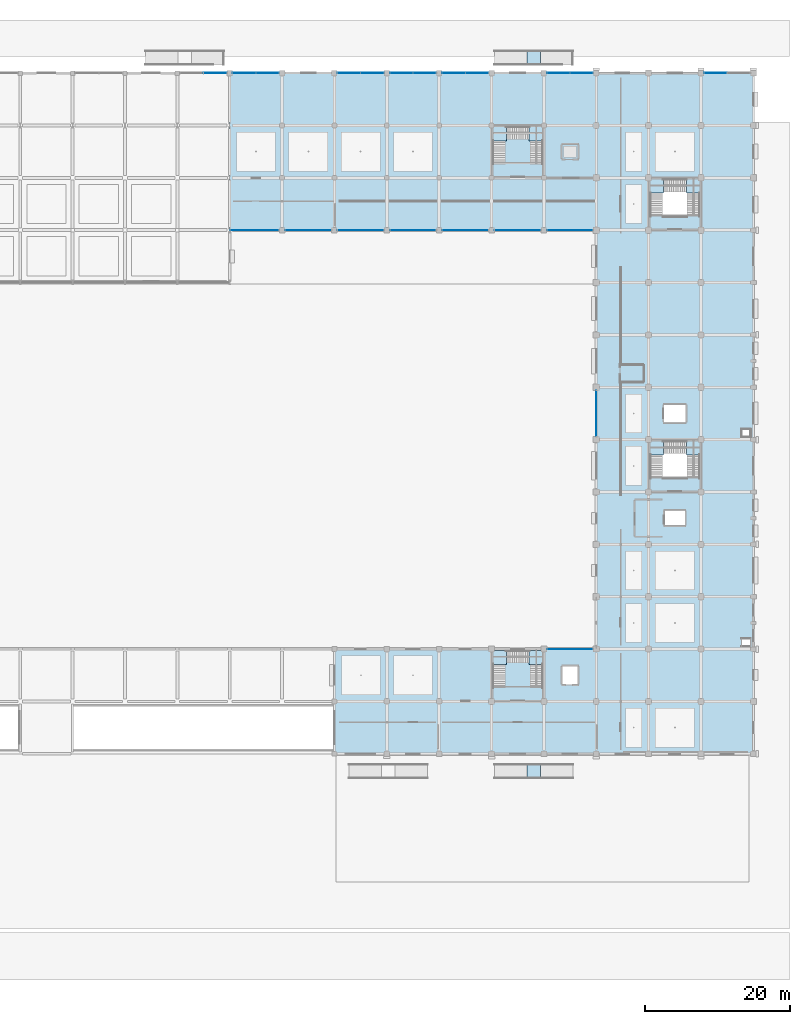
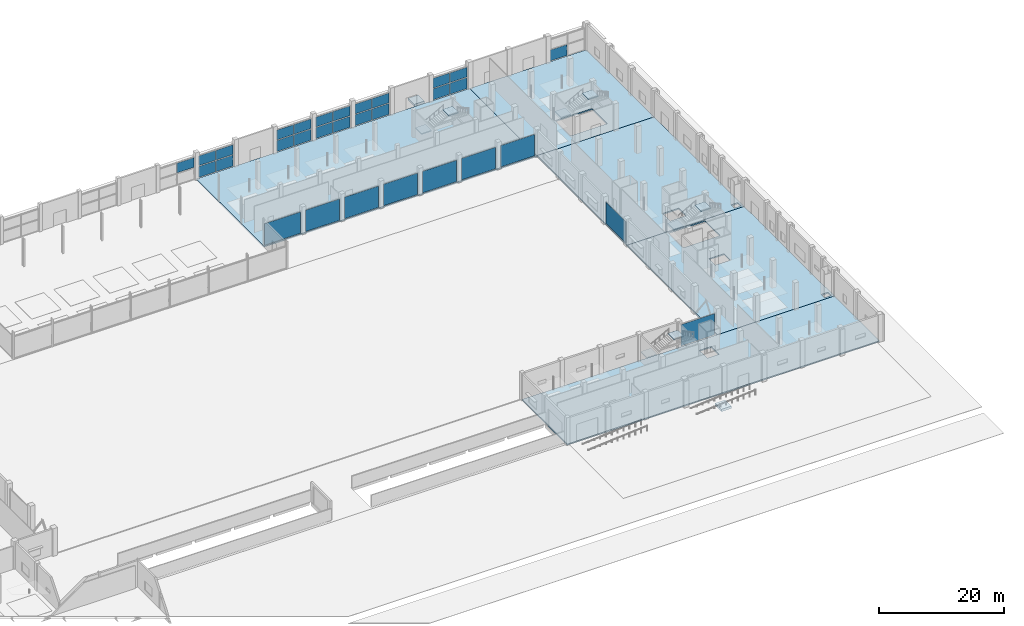
# One storey, part 53 of 90: 31 plates, 15 slabs, 22 elements without a shape of their own.
"""IFC4 building model written with IfcOpenShell, lengths in metres."""

from ifc_helpers import new_model, si_unit, direction, frame, origin, origin_2d, place, context, subcontext, project, spatial, polyline, rectangle, outline, extrude, material, layer, layer_set, type_object, element, aggregate, save


model = new_model("IFC4")

# Units and contexts
model_context = context("Model", 3, precision=1e-05, world=origin(), true_north=direction((0.0, 1.0)))
body_context = subcontext(model_context, "Body", "Model", "MODEL_VIEW")
ifc_project = project(units=[si_unit("LENGTHUNIT", "METRE"), si_unit("AREAUNIT", "SQUARE_METRE"), si_unit("VOLUMEUNIT", "CUBIC_METRE"), si_unit("PLANEANGLEUNIT", "RADIAN"), si_unit("MASSUNIT", "GRAM", prefix="KILO")], contexts=[model_context])

# Site, building, storey
site_placement = place(None, origin())
site = spatial("IfcSite", under=ifc_project, at=site_placement, CompositionType="ELEMENT")
building_placement = place(site_placement, origin())
building = spatial("IfcBuilding", under=site, at=building_placement, Name="Kangsadwip Square Police Headquarters", CompositionType="ELEMENT")
storey_placement = place(building_placement, origin())
storey = spatial("IfcBuildingStorey", under=building, at=storey_placement, Name="L00", CompositionType="ELEMENT", Elevation=0.0)

# Curtain wall, plate
ifc_material_1 = material(Name="Thermally broken anodised aluminium AW-6063-T6", Category="aluminium")
ifc_layer_1 = layer(ifc_material_1, 0.159912109375)
ifc_layer_set_1 = layer_set([ifc_layer_1], Name="Thermally broken anodised aluminium AW-6063-T6")
curtain_wall_type_1 = type_object("IfcCurtainWallType", Name="CourtScreen6385x4450", PredefinedType="USERDEFINED", material=ifc_layer_set_1)
curtain_wall_1_placement = place(storey_placement, origin())
curtain_wall_1 = element("IfcCurtainWall", 1, at=curtain_wall_1_placement, inside=storey, type_object=curtain_wall_type_1, Name="Curtain Wall CW-L00-1372-0360", ObjectType="GLAZED_SCREEN", PredefinedType="USERDEFINED")
ifc_material_2 = material(Name="Double-glazed solar-control low-E safety glass", Category="glass")
ifc_layer_2 = layer(ifc_material_2, 0.02392578125)
ifc_layer_set_2 = layer_set([ifc_layer_2], Name="Double-glazed solar-control low-E safety glass")
plate_type_1 = type_object("IfcPlateType", Name="CwCourtVisionPanel24", PredefinedType="CURTAIN_PANEL", material=ifc_layer_set_2)
plate_1_placement = place(storey_placement, frame((140.387451171875, 36.0, 0.14013671875), z_axis=(0.0, 0.0, 1.0), x_axis=(1.0, 0.0, 0.0)))
plate_1 = element("IfcPlate", 2, at=plate_1_placement, type_object=plate_type_1, Name="CW-01 panel 1.1", PredefinedType="CURTAIN_PANEL", context=body_context, shape_type="SweptSolid", body=[
    extrude(rectangle(XDim=6.235107421875, YDim=0.02392578125, at=origin_2d()), origin(), (0.0, 0.0, 1.0), 4.169921875),
])
aggregate(curtain_wall_1, [plate_1])

ifc_material_3 = material(Name="Thermally broken anodised aluminium AW-6063-T6", Category="aluminium")
ifc_layer_3 = layer(ifc_material_3, 0.159912109375)
ifc_layer_set_3 = layer_set([ifc_layer_3], Name="Thermally broken anodised aluminium AW-6063-T6")
curtain_wall_type_2 = type_object("IfcCurtainWallType", Name="CourtScreen6820x4450", PredefinedType="USERDEFINED", material=ifc_layer_set_3)
curtain_wall_2_placement = place(storey_placement, origin())
curtain_wall_2 = element("IfcCurtainWall", 3, at=curtain_wall_2_placement, inside=storey, type_object=curtain_wall_type_2, Name="Curtain Wall CW-L00-0936-0936", ObjectType="GLAZED_SCREEN", PredefinedType="USERDEFINED")
plate_2_placement = place(storey_placement, frame((97.02001953125, 93.60009765625, 0.14013671875), z_axis=(0.0, 0.0, 1.0), x_axis=(1.0, 0.0, 0.0)))
plate_2 = element("IfcPlate", 4, at=plate_2_placement, type_object=plate_type_1, Name="CW-03 panel 1.1", PredefinedType="CURTAIN_PANEL", context=body_context, shape_type="SweptSolid", body=[
    extrude(rectangle(XDim=6.669921875, YDim=0.02392578125, at=origin_2d()), origin(), (0.0, 0.0, 1.0), 4.169921875),
])
aggregate(curtain_wall_2, [plate_2])

ifc_material_4 = material(Name="Thermally broken anodised aluminium AW-6063-T6", Category="aluminium")
ifc_layer_4 = layer(ifc_material_4, 0.159912109375)
ifc_layer_set_4 = layer_set([ifc_layer_4], Name="Thermally broken anodised aluminium AW-6063-T6")
curtain_wall_type_3 = type_object("IfcCurtainWallType", Name="CourtScreen6460x4450", PredefinedType="USERDEFINED", material=ifc_layer_set_4)
curtain_wall_3_placement = place(storey_placement, origin())
curtain_wall_3 = element("IfcCurtainWall", 5, at=curtain_wall_3_placement, inside=storey, type_object=curtain_wall_type_3, Name="Curtain Wall CW-L00-1012-0936", ObjectType="GLAZED_SCREEN", PredefinedType="USERDEFINED")
plate_3_placement = place(storey_placement, frame((104.39990234375, 93.60009765625, 0.14013671875), z_axis=(0.0, 0.0, 1.0), x_axis=(1.0, 0.0, 0.0)))
plate_3 = element("IfcPlate", 6, at=plate_3_placement, type_object=plate_type_1, Name="CW-04 panel 1.1", PredefinedType="CURTAIN_PANEL", context=body_context, shape_type="SweptSolid", body=[
    extrude(rectangle(XDim=6.31005859375, YDim=0.02392578125, at=origin_2d()), origin(), (0.0, 0.0, 1.0), 4.169921875),
])
aggregate(curtain_wall_3, [plate_3])

curtain_wall_4_placement = place(storey_placement, origin())
curtain_wall_4 = element("IfcCurtainWall", 7, at=curtain_wall_4_placement, inside=storey, type_object=curtain_wall_type_3, Name="Curtain Wall CW-L00-1084-0936", ObjectType="GLAZED_SCREEN", PredefinedType="USERDEFINED")
plate_4_placement = place(storey_placement, frame((111.60009765625, 93.60009765625, 0.14013671875), z_axis=(0.0, 0.0, 1.0), x_axis=(1.0, 0.0, 0.0)))
plate_4 = element("IfcPlate", 8, at=plate_4_placement, type_object=plate_type_1, Name="CW-04 panel 1.1", PredefinedType="CURTAIN_PANEL", context=body_context, shape_type="SweptSolid", body=[
    extrude(rectangle(XDim=6.31005859375, YDim=0.02392578125, at=origin_2d()), origin(), (0.0, 0.0, 1.0), 4.169921875),
])
aggregate(curtain_wall_4, [plate_4])

curtain_wall_5_placement = place(storey_placement, origin())
curtain_wall_5 = element("IfcCurtainWall", 9, at=curtain_wall_5_placement, inside=storey, type_object=curtain_wall_type_3, Name="Curtain Wall CW-L00-1156-0936", ObjectType="GLAZED_SCREEN", PredefinedType="USERDEFINED")
plate_5_placement = place(storey_placement, frame((118.800048828125, 93.60009765625, 0.14013671875), z_axis=(0.0, 0.0, 1.0), x_axis=(1.0, 0.0, 0.0)))
plate_5 = element("IfcPlate", 10, at=plate_5_placement, type_object=plate_type_1, Name="CW-04 panel 1.1", PredefinedType="CURTAIN_PANEL", context=body_context, shape_type="SweptSolid", body=[
    extrude(rectangle(XDim=6.31005859375, YDim=0.02392578125, at=origin_2d()), origin(), (0.0, 0.0, 1.0), 4.169921875),
])
aggregate(curtain_wall_5, [plate_5])

curtain_wall_6_placement = place(storey_placement, origin())
curtain_wall_6 = element("IfcCurtainWall", 11, at=curtain_wall_6_placement, inside=storey, type_object=curtain_wall_type_3, Name="Curtain Wall CW-L00-1228-0936", ObjectType="GLAZED_SCREEN", PredefinedType="USERDEFINED")
plate_6_placement = place(storey_placement, frame((126.0, 93.60009765625, 0.14013671875), z_axis=(0.0, 0.0, 1.0), x_axis=(1.0, 0.0, 0.0)))
plate_6 = element("IfcPlate", 12, at=plate_6_placement, type_object=plate_type_1, Name="CW-04 panel 1.1", PredefinedType="CURTAIN_PANEL", context=body_context, shape_type="SweptSolid", body=[
    extrude(rectangle(XDim=6.31005859375, YDim=0.02392578125, at=origin_2d()), origin(), (0.0, 0.0, 1.0), 4.169921875),
])
aggregate(curtain_wall_6, [plate_6])

curtain_wall_7_placement = place(storey_placement, origin())
curtain_wall_7 = element("IfcCurtainWall", 13, at=curtain_wall_7_placement, inside=storey, type_object=curtain_wall_type_3, Name="Curtain Wall CW-L00-1300-0936", ObjectType="GLAZED_SCREEN", PredefinedType="USERDEFINED")
plate_7_placement = place(storey_placement, frame((133.199951171875, 93.60009765625, 0.14013671875), z_axis=(0.0, 0.0, 1.0), x_axis=(1.0, 0.0, 0.0)))
plate_7 = element("IfcPlate", 14, at=plate_7_placement, type_object=plate_type_1, Name="CW-04 panel 1.1", PredefinedType="CURTAIN_PANEL", context=body_context, shape_type="SweptSolid", body=[
    extrude(rectangle(XDim=6.31005859375, YDim=0.02392578125, at=origin_2d()), origin(), (0.0, 0.0, 1.0), 4.169921875),
])
aggregate(curtain_wall_7, [plate_7])

ifc_material_5 = material(Name="Thermally broken anodised aluminium AW-6063-T6", Category="aluminium")
ifc_layer_5 = layer(ifc_material_5, 0.159912109375)
ifc_layer_set_5 = layer_set([ifc_layer_5], Name="Thermally broken anodised aluminium AW-6063-T6")
curtain_wall_type_4 = type_object("IfcCurtainWallType", Name="CourtScreen6410x4450", PredefinedType="USERDEFINED", material=ifc_layer_set_5)
curtain_wall_8_placement = place(storey_placement, origin())
curtain_wall_8 = element("IfcCurtainWall", 15, at=curtain_wall_8_placement, inside=storey, type_object=curtain_wall_type_4, Name="Curtain Wall CW-L00-1372-0936", ObjectType="GLAZED_SCREEN", PredefinedType="USERDEFINED")
plate_8_placement = place(storey_placement, frame((140.375, 93.60009765625, 0.14013671875), z_axis=(0.0, 0.0, 1.0), x_axis=(1.0, 0.0, 0.0)))
plate_8 = element("IfcPlate", 16, at=plate_8_placement, type_object=plate_type_1, Name="CW-05 panel 1.1", PredefinedType="CURTAIN_PANEL", context=body_context, shape_type="SweptSolid", body=[
    extrude(rectangle(XDim=6.260009765625, YDim=0.02392578125, at=origin_2d()), origin(), (0.0, 0.0, 1.0), 4.169921875),
])
aggregate(curtain_wall_8, [plate_8])

ifc_material_6 = material(Name="Thermally broken anodised aluminium AW-6063-T6", Category="aluminium")
ifc_layer_6 = layer(ifc_material_6, 0.159912109375)
ifc_layer_set_6 = layer_set([ifc_layer_6], Name="Thermally broken anodised aluminium AW-6063-T6")
curtain_wall_type_5 = type_object("IfcCurtainWallType", Name="CourtScreen6360x4450", PredefinedType="USERDEFINED", material=ifc_layer_set_6)
curtain_wall_9_placement = place(storey_placement, origin())
curtain_wall_9 = element("IfcCurtainWall", 17, at=curtain_wall_9_placement, inside=storey, type_object=curtain_wall_type_5, Name="Curtain Wall CW-L00-1440-0652", ObjectType="GLAZED_SCREEN", PredefinedType="USERDEFINED")
plate_9_placement = place(storey_placement, frame((144.0, 68.39990234375, 0.14013671875), z_axis=(0.0, 0.0, 1.0), x_axis=(0.0, 1.0, 0.0)))
plate_9 = element("IfcPlate", 18, at=plate_9_placement, type_object=plate_type_1, Name="CW-15 panel 1.1", PredefinedType="CURTAIN_PANEL", context=body_context, shape_type="SweptSolid", body=[
    extrude(rectangle(XDim=6.2099609375, YDim=0.02392578125, at=origin_2d()), origin(), (0.0, 0.0, 1.0), 4.169921875),
])
aggregate(curtain_wall_9, [plate_9])

ifc_material_7 = material(Name="Thermally broken anodised aluminium AW-6063-T6", Category="aluminium")
ifc_layer_7 = layer(ifc_material_7, 0.159912109375)
ifc_layer_set_7 = layer_set([ifc_layer_7], Name="Thermally broken anodised aluminium AW-6063-T6")
curtain_wall_type_6 = type_object("IfcCurtainWallType", Name="UnitisedCw6535x4450", PredefinedType="NOTDEFINED", material=ifc_layer_set_7)
curtain_wall_10_placement = place(storey_placement, origin())
curtain_wall_10 = element("IfcCurtainWall", 19, at=curtain_wall_10_placement, inside=storey, type_object=curtain_wall_type_6, Name="Curtain Wall CW-L00-0867-1152", PredefinedType="NOTDEFINED")
ifc_material_8 = material(Name="Double-glazed solar-control low-E safety glass", Category="glass")
ifc_layer_8 = layer(ifc_material_8, 0.028076171875)
ifc_layer_set_8 = layer_set([ifc_layer_8], Name="Double-glazed solar-control low-E safety glass")
plate_type_2 = type_object("IfcPlateType", Name="CwSolarVisionPanel28", PredefinedType="CURTAIN_PANEL", material=ifc_layer_set_8)
plate_10_placement = place(storey_placement, frame((91.577392578125, 115.199951171875, 2.419921875), z_axis=(0.0, 0.0, 1.0), x_axis=(1.0, 0.0, 0.0)))
plate_10 = element("IfcPlate", 20, at=plate_10_placement, type_object=plate_type_2, Name="CW-09 panel 2.2", PredefinedType="CURTAIN_PANEL", context=body_context, shape_type="SweptSolid", body=[
    extrude(rectangle(XDim=3.155029296875, YDim=0.028076171875, at=origin_2d()), origin(), (0.0, 0.0, 1.0), 1.889892578125),
])
aggregate(curtain_wall_10, [plate_10])

# Curtain wall, plates
ifc_material_9 = material(Name="Thermally broken anodised aluminium AW-6063-T6", Category="aluminium")
ifc_layer_9 = layer(ifc_material_9, 0.159912109375)
ifc_layer_set_9 = layer_set([ifc_layer_9], Name="Thermally broken anodised aluminium AW-6063-T6")
curtain_wall_type_7 = type_object("IfcCurtainWallType", Name="UnitisedCw6460x4450", PredefinedType="NOTDEFINED", material=ifc_layer_set_9)
curtain_wall_11_placement = place(storey_placement, origin())
curtain_wall_11 = element("IfcCurtainWall", 21, at=curtain_wall_11_placement, inside=storey, type_object=curtain_wall_type_7, Name="Curtain Wall CW-L00-0940-1152", PredefinedType="NOTDEFINED")
plate_11_placement = place(storey_placement, frame((95.603759765625, 115.199951171875, 0.14013671875), z_axis=(0.0, 0.0, 1.0), x_axis=(1.0, 0.0, 0.0)))
plate_11 = element("IfcPlate", 22, at=plate_11_placement, type_object=plate_type_2, Name="CW-10 panel 1.1", PredefinedType="CURTAIN_PANEL", context=body_context, shape_type="SweptSolid", body=[
    extrude(rectangle(XDim=3.117431640625, YDim=0.028076171875, at=origin_2d()), origin(), (0.0, 0.0, 1.0), 2.139892578125),
])
plate_12_placement = place(storey_placement, frame((95.603759765625, 115.199951171875, 2.419921875), z_axis=(0.0, 0.0, 1.0), x_axis=(1.0, 0.0, 0.0)))
plate_12 = element("IfcPlate", 23, at=plate_12_placement, type_object=plate_type_2, Name="CW-10 panel 1.2", PredefinedType="CURTAIN_PANEL", context=body_context, shape_type="SweptSolid", body=[
    extrude(rectangle(XDim=3.117431640625, YDim=0.028076171875, at=origin_2d()), origin(), (0.0, 0.0, 1.0), 1.889892578125),
])
plate_13_placement = place(storey_placement, frame((98.796142578125, 115.199951171875, 0.14013671875), z_axis=(0.0, 0.0, 1.0), x_axis=(1.0, 0.0, 0.0)))
plate_13 = element("IfcPlate", 24, at=plate_13_placement, type_object=plate_type_2, Name="CW-10 panel 2.1", PredefinedType="CURTAIN_PANEL", context=body_context, shape_type="SweptSolid", body=[
    extrude(rectangle(XDim=3.117431640625, YDim=0.028076171875, at=origin_2d()), origin(), (0.0, 0.0, 1.0), 2.139892578125),
])
plate_14_placement = place(storey_placement, frame((98.796142578125, 115.199951171875, 2.419921875), z_axis=(0.0, 0.0, 1.0), x_axis=(1.0, 0.0, 0.0)))
plate_14 = element("IfcPlate", 25, at=plate_14_placement, type_object=plate_type_2, Name="CW-10 panel 2.2", PredefinedType="CURTAIN_PANEL", context=body_context, shape_type="SweptSolid", body=[
    extrude(rectangle(XDim=3.117431640625, YDim=0.028076171875, at=origin_2d()), origin(), (0.0, 0.0, 1.0), 1.889892578125),
])
aggregate(curtain_wall_11, [plate_11, plate_12, plate_13, plate_14])

curtain_wall_12_placement = place(storey_placement, origin())
curtain_wall_12 = element("IfcCurtainWall", 26, at=curtain_wall_12_placement, inside=storey, type_object=curtain_wall_type_7, Name="Curtain Wall CW-L00-1156-1152", PredefinedType="NOTDEFINED")
plate_15_placement = place(storey_placement, frame((117.203857421875, 115.199951171875, 0.14013671875), z_axis=(0.0, 0.0, 1.0), x_axis=(1.0, 0.0, 0.0)))
plate_15 = element("IfcPlate", 27, at=plate_15_placement, type_object=plate_type_2, Name="CW-10 panel 1.1", PredefinedType="CURTAIN_PANEL", context=body_context, shape_type="SweptSolid", body=[
    extrude(rectangle(XDim=3.117431640625, YDim=0.028076171875, at=origin_2d()), origin(), (0.0, 0.0, 1.0), 2.139892578125),
])
plate_16_placement = place(storey_placement, frame((117.203857421875, 115.199951171875, 2.419921875), z_axis=(0.0, 0.0, 1.0), x_axis=(1.0, 0.0, 0.0)))
plate_16 = element("IfcPlate", 28, at=plate_16_placement, type_object=plate_type_2, Name="CW-10 panel 1.2", PredefinedType="CURTAIN_PANEL", context=body_context, shape_type="SweptSolid", body=[
    extrude(rectangle(XDim=3.117431640625, YDim=0.028076171875, at=origin_2d()), origin(), (0.0, 0.0, 1.0), 1.889892578125),
])
plate_17_placement = place(storey_placement, frame((120.396240234375, 115.199951171875, 0.14013671875), z_axis=(0.0, 0.0, 1.0), x_axis=(1.0, 0.0, 0.0)))
plate_17 = element("IfcPlate", 29, at=plate_17_placement, type_object=plate_type_2, Name="CW-10 panel 2.1", PredefinedType="CURTAIN_PANEL", context=body_context, shape_type="SweptSolid", body=[
    extrude(rectangle(XDim=3.117431640625, YDim=0.028076171875, at=origin_2d()), origin(), (0.0, 0.0, 1.0), 2.139892578125),
])
plate_18_placement = place(storey_placement, frame((120.396240234375, 115.199951171875, 2.419921875), z_axis=(0.0, 0.0, 1.0), x_axis=(1.0, 0.0, 0.0)))
plate_18 = element("IfcPlate", 30, at=plate_18_placement, type_object=plate_type_2, Name="CW-10 panel 2.2", PredefinedType="CURTAIN_PANEL", context=body_context, shape_type="SweptSolid", body=[
    extrude(rectangle(XDim=3.117431640625, YDim=0.028076171875, at=origin_2d()), origin(), (0.0, 0.0, 1.0), 1.889892578125),
])
aggregate(curtain_wall_12, [plate_15, plate_16, plate_17, plate_18])

curtain_wall_13_placement = place(storey_placement, origin())
curtain_wall_13 = element("IfcCurtainWall", 31, at=curtain_wall_13_placement, inside=storey, type_object=curtain_wall_type_7, Name="Curtain Wall CW-L00-1228-1152", PredefinedType="NOTDEFINED")
plate_19_placement = place(storey_placement, frame((124.40380859375, 115.199951171875, 0.14013671875), z_axis=(0.0, 0.0, 1.0), x_axis=(1.0, 0.0, 0.0)))
plate_19 = element("IfcPlate", 32, at=plate_19_placement, type_object=plate_type_2, Name="CW-10 panel 1.1", PredefinedType="CURTAIN_PANEL", context=body_context, shape_type="SweptSolid", body=[
    extrude(rectangle(XDim=3.117431640625, YDim=0.028076171875, at=origin_2d()), origin(), (0.0, 0.0, 1.0), 2.139892578125),
])
plate_20_placement = place(storey_placement, frame((124.40380859375, 115.199951171875, 2.419921875), z_axis=(0.0, 0.0, 1.0), x_axis=(1.0, 0.0, 0.0)))
plate_20 = element("IfcPlate", 33, at=plate_20_placement, type_object=plate_type_2, Name="CW-10 panel 1.2", PredefinedType="CURTAIN_PANEL", context=body_context, shape_type="SweptSolid", body=[
    extrude(rectangle(XDim=3.117431640625, YDim=0.028076171875, at=origin_2d()), origin(), (0.0, 0.0, 1.0), 1.889892578125),
])
plate_21_placement = place(storey_placement, frame((127.59619140625, 115.199951171875, 0.14013671875), z_axis=(0.0, 0.0, 1.0), x_axis=(1.0, 0.0, 0.0)))
plate_21 = element("IfcPlate", 34, at=plate_21_placement, type_object=plate_type_2, Name="CW-10 panel 2.1", PredefinedType="CURTAIN_PANEL", context=body_context, shape_type="SweptSolid", body=[
    extrude(rectangle(XDim=3.117431640625, YDim=0.028076171875, at=origin_2d()), origin(), (0.0, 0.0, 1.0), 2.139892578125),
])
plate_22_placement = place(storey_placement, frame((127.59619140625, 115.199951171875, 2.419921875), z_axis=(0.0, 0.0, 1.0), x_axis=(1.0, 0.0, 0.0)))
plate_22 = element("IfcPlate", 35, at=plate_22_placement, type_object=plate_type_2, Name="CW-10 panel 2.2", PredefinedType="CURTAIN_PANEL", context=body_context, shape_type="SweptSolid", body=[
    extrude(rectangle(XDim=3.117431640625, YDim=0.028076171875, at=origin_2d()), origin(), (0.0, 0.0, 1.0), 1.889892578125),
])
aggregate(curtain_wall_13, [plate_19, plate_20, plate_21, plate_22])

ifc_material_10 = material(Name="Thermally broken anodised aluminium AW-6063-T6", Category="aluminium")
ifc_layer_10 = layer(ifc_material_10, 0.159912109375)
ifc_layer_set_10 = layer_set([ifc_layer_10], Name="Thermally broken anodised aluminium AW-6063-T6")
curtain_wall_type_8 = type_object("IfcCurtainWallType", Name="UnitisedCw6435x4450", PredefinedType="NOTDEFINED", material=ifc_layer_set_10)
curtain_wall_14_placement = place(storey_placement, origin())
curtain_wall_14 = element("IfcCurtainWall", 36, at=curtain_wall_14_placement, inside=storey, type_object=curtain_wall_type_8, Name="Curtain Wall CW-L00-1372-1152", PredefinedType="NOTDEFINED")
plate_23_placement = place(storey_placement, frame((138.797607421875, 115.199951171875, 0.14013671875), z_axis=(0.0, 0.0, 1.0), x_axis=(1.0, 0.0, 0.0)))
plate_23 = element("IfcPlate", 37, at=plate_23_placement, type_object=plate_type_2, Name="CW-11 panel 1.1", PredefinedType="CURTAIN_PANEL", context=body_context, shape_type="SweptSolid", body=[
    extrude(rectangle(XDim=3.10498046875, YDim=0.028076171875, at=origin_2d()), origin(), (0.0, 0.0, 1.0), 2.139892578125),
])
plate_24_placement = place(storey_placement, frame((138.797607421875, 115.199951171875, 2.419921875), z_axis=(0.0, 0.0, 1.0), x_axis=(1.0, 0.0, 0.0)))
plate_24 = element("IfcPlate", 38, at=plate_24_placement, type_object=plate_type_2, Name="CW-11 panel 1.2", PredefinedType="CURTAIN_PANEL", context=body_context, shape_type="SweptSolid", body=[
    extrude(rectangle(XDim=3.10498046875, YDim=0.028076171875, at=origin_2d()), origin(), (0.0, 0.0, 1.0), 1.889892578125),
])
plate_25_placement = place(storey_placement, frame((141.9775390625, 115.199951171875, 0.14013671875), z_axis=(0.0, 0.0, 1.0), x_axis=(1.0, 0.0, 0.0)))
plate_25 = element("IfcPlate", 39, at=plate_25_placement, type_object=plate_type_2, Name="CW-11 panel 2.1", PredefinedType="CURTAIN_PANEL", context=body_context, shape_type="SweptSolid", body=[
    extrude(rectangle(XDim=3.10498046875, YDim=0.028076171875, at=origin_2d()), origin(), (0.0, 0.0, 1.0), 2.139892578125),
])
plate_26_placement = place(storey_placement, frame((141.9775390625, 115.199951171875, 2.419921875), z_axis=(0.0, 0.0, 1.0), x_axis=(1.0, 0.0, 0.0)))
plate_26 = element("IfcPlate", 40, at=plate_26_placement, type_object=plate_type_2, Name="CW-11 panel 2.2", PredefinedType="CURTAIN_PANEL", context=body_context, shape_type="SweptSolid", body=[
    extrude(rectangle(XDim=3.10498046875, YDim=0.028076171875, at=origin_2d()), origin(), (0.0, 0.0, 1.0), 1.889892578125),
])
aggregate(curtain_wall_14, [plate_23, plate_24, plate_25, plate_26])

curtain_wall_15_placement = place(storey_placement, origin())
curtain_wall_15 = element("IfcCurtainWall", 41, at=curtain_wall_15_placement, inside=storey, type_object=curtain_wall_type_7, Name="Curtain Wall CW-L00-1084-1152", PredefinedType="NOTDEFINED")
ifc_material_11 = material(Name="Insulated ceramic-fritted spandrel safety glass", Category="glass")
ifc_layer_11 = layer(ifc_material_11, 0.0400390625)
ifc_layer_set_11 = layer_set([ifc_layer_11], Name="Insulated ceramic-fritted spandrel safety glass")
plate_type_3 = type_object("IfcPlateType", Name="CwSpandrelSheetPanel40", PredefinedType="SHEET", material=ifc_layer_set_11)
plate_27_placement = place(storey_placement, frame((110.003662109375, 115.199951171875, 0.14013671875), z_axis=(0.0, 0.0, 1.0), x_axis=(1.0, 0.0, 0.0)))
plate_27 = element("IfcPlate", 42, at=plate_27_placement, type_object=plate_type_3, Name="CW-10 panel 1.1", PredefinedType="SHEET", context=body_context, shape_type="SweptSolid", body=[
    extrude(rectangle(XDim=3.117431640625, YDim=0.0400390625, at=origin_2d()), origin(), (0.0, 0.0, 1.0), 2.139892578125),
])
plate_28_placement = place(storey_placement, frame((110.003662109375, 115.199951171875, 2.419921875), z_axis=(0.0, 0.0, 1.0), x_axis=(1.0, 0.0, 0.0)))
plate_28 = element("IfcPlate", 43, at=plate_28_placement, type_object=plate_type_3, Name="CW-10 panel 1.2", PredefinedType="SHEET", context=body_context, shape_type="SweptSolid", body=[
    extrude(rectangle(XDim=3.117431640625, YDim=0.0400390625, at=origin_2d()), origin(), (0.0, 0.0, 1.0), 1.889892578125),
])
plate_29_placement = place(storey_placement, frame((113.1962890625, 115.199951171875, 0.14013671875), z_axis=(0.0, 0.0, 1.0), x_axis=(1.0, 0.0, 0.0)))
plate_29 = element("IfcPlate", 44, at=plate_29_placement, type_object=plate_type_3, Name="CW-10 panel 2.1", PredefinedType="SHEET", context=body_context, shape_type="SweptSolid", body=[
    extrude(rectangle(XDim=3.117431640625, YDim=0.0400390625, at=origin_2d()), origin(), (0.0, 0.0, 1.0), 2.139892578125),
])
plate_30_placement = place(storey_placement, frame((113.1962890625, 115.199951171875, 2.419921875), z_axis=(0.0, 0.0, 1.0), x_axis=(1.0, 0.0, 0.0)))
plate_30 = element("IfcPlate", 45, at=plate_30_placement, type_object=plate_type_3, Name="CW-10 panel 2.2", PredefinedType="SHEET", context=body_context, shape_type="SweptSolid", body=[
    extrude(rectangle(XDim=3.117431640625, YDim=0.0400390625, at=origin_2d()), origin(), (0.0, 0.0, 1.0), 1.889892578125),
])
aggregate(curtain_wall_15, [plate_27, plate_28, plate_29, plate_30])

# Curtain wall, plate
ifc_material_12 = material(Name="Thermally broken anodised aluminium AW-6063-T6", Category="aluminium")
ifc_layer_12 = layer(ifc_material_12, 0.159912109375)
ifc_layer_set_12 = layer_set([ifc_layer_12], Name="Thermally broken anodised aluminium AW-6063-T6")
curtain_wall_type_9 = type_object("IfcCurtainWallType", Name="UnitisedCw6410x4450", PredefinedType="NOTDEFINED", material=ifc_layer_set_12)
curtain_wall_16_placement = place(storey_placement, origin())
curtain_wall_16 = element("IfcCurtainWall", 46, at=curtain_wall_16_placement, inside=storey, type_object=curtain_wall_type_9, Name="Curtain Wall CW-L00-1588-1152", PredefinedType="NOTDEFINED")
plate_31_placement = place(storey_placement, frame((160.416259765625, 115.199951171875, 0.14013671875), z_axis=(0.0, 0.0, 1.0), x_axis=(1.0, 0.0, 0.0)))
plate_31 = element("IfcPlate", 47, at=plate_31_placement, type_object=plate_type_3, Name="CW-12 panel 1.1", PredefinedType="SHEET", context=body_context, shape_type="SweptSolid", body=[
    extrude(rectangle(XDim=3.092529296875, YDim=0.0400390625, at=origin_2d()), origin(), (0.0, 0.0, 1.0), 2.139892578125),
])
aggregate(curtain_wall_16, [plate_31])

# Slabs
ifc_material_13 = material(Name="Concrete M35 (35 MPa)", Category="concrete")
ifc_layer_13 = layer(ifc_material_13, 0.25)
ifc_layer_set_13 = layer_set([ifc_layer_13], Name="Concrete M35 (35 MPa)")
slab_type_1 = type_object("IfcSlabType", Name="PlinthGroundSlab250", PredefinedType="FLOOR", material=ifc_layer_set_13)
slab_1_placement = place(storey_placement, frame((0.0, 0.0, -0.25)))
element("IfcSlab", 48, at=slab_1_placement, inside=storey, type_object=slab_type_1, Name="L00 Vol2 Slab SL-L00-009", PredefinedType="FLOOR", context=body_context, shape_type="SweptSolid", body=[
    extrude(outline(polyline([(93.60009765625, 93.60009765625), (93.60009765625, 115.199951171875), (144.0, 115.199951171875), (144.0, 93.60009765625), (93.60009765625, 93.60009765625)])), origin(), (0.0, 0.0, 1.0), 0.25),
])
slab_2_placement = place(storey_placement, frame((0.0, 0.0, -0.25)))
element("IfcSlab", 49, at=slab_2_placement, inside=storey, type_object=slab_type_1, Name="L00 Vol6N Slab SL-L00-010", PredefinedType="FLOOR", context=body_context, shape_type="SweptSolid", body=[
    extrude(outline(polyline([(144.0, 93.60009765625), (144.0, 115.199951171875), (165.60009765625, 115.199951171875), (165.60009765625, 93.60009765625), (144.0, 93.60009765625)]), holes=[polyline([(158.179931640625, 95.679931640625), (158.179931640625, 100.580078125), (151.419921875, 100.580078125), (151.419921875, 95.679931640625), (158.179931640625, 95.679931640625)])]), origin(), (0.0, 0.0, 1.0), 0.25),
])
slab_3_placement = place(storey_placement, frame((0.0, 0.0, -0.25)))
element("IfcSlab", 50, at=slab_3_placement, inside=storey, type_object=slab_type_1, Name="L00 Vol6S Slab SL-L00-013", PredefinedType="FLOOR", context=body_context, shape_type="SweptSolid", body=[
    extrude(outline(polyline([(144.0, 36.0), (144.0, 64.800048828125), (165.60009765625, 64.800048828125), (165.60009765625, 36.0), (144.0, 36.0)]), holes=[polyline([(165.199951171875, 37.39990234375), (164.0, 37.39990234375), (164.0, 36.39990234375), (165.199951171875, 36.39990234375), (165.199951171875, 37.39990234375)]), polyline([(156.199951171875, 55.0), (153.39990234375, 55.0), (153.39990234375, 53.0), (156.199951171875, 53.0), (156.199951171875, 55.0)]), polyline([(158.179931640625, 59.679931640625), (158.179931640625, 64.580078125), (151.419921875, 64.580078125), (151.419921875, 59.679931640625), (158.179931640625, 59.679931640625)])]), origin(), (0.0, 0.0, 1.0), 0.25),
])
slab_4_placement = place(storey_placement, frame((0.0, 0.0, -0.25)))
element("IfcSlab", 51, at=slab_4_placement, inside=storey, type_object=slab_type_1, Name="L00 Vol6N Slab SL-L00-014", PredefinedType="FLOOR", context=body_context, shape_type="SweptSolid", body=[
    extrude(outline(polyline([(144.0, 64.800048828125), (144.0, 93.60009765625), (165.60009765625, 93.60009765625), (165.60009765625, 64.800048828125), (144.0, 64.800048828125)]), holes=[polyline([(165.199951171875, 66.199951171875), (164.0, 66.199951171875), (164.0, 65.199951171875), (165.199951171875, 65.199951171875), (165.199951171875, 66.199951171875)]), polyline([(156.300048828125, 69.60009765625), (153.300048828125, 69.60009765625), (153.300048828125, 67.199951171875), (156.300048828125, 67.199951171875), (156.300048828125, 69.60009765625)])]), origin(), (0.0, 0.0, 1.0), 0.25),
])
slab_5_placement = place(storey_placement, frame((0.0, 0.0, -0.25)))
element("IfcSlab", 52, at=slab_5_placement, inside=storey, type_object=slab_type_1, Name="L00 Vol7 Slab SL-L00-017", PredefinedType="FLOOR", context=body_context, shape_type="SweptSolid", body=[
    extrude(outline(polyline([(108.0, 21.60009765625), (108.0, 36.0), (165.60009765625, 36.0), (165.60009765625, 21.60009765625), (108.0, 21.60009765625)]), holes=[polyline([(141.47509765625, 33.64990234375), (139.324951171875, 33.64990234375), (139.324951171875, 31.14990234375), (141.47509765625, 31.14990234375), (141.47509765625, 33.64990234375)])]), origin(), (0.0, 0.0, 1.0), 0.25),
])

# Ramp, slab
ifc_material_14 = material(Name="Concrete M35 (35 MPa)", Category="concrete")
ramp_type = type_object("IfcRampType", Name="AccessiblePlinthRamp", PredefinedType="STRAIGHT_RUN_RAMP", material=ifc_material_14)
ramp_1_placement = place(storey_placement, origin())
ramp_1 = element("IfcRamp", 53, at=ramp_1_placement, inside=storey, type_object=ramp_type, Name="Accessible Plinth Entrance Ramp AR-05", PredefinedType="STRAIGHT_RUN_RAMP")
ifc_material_15 = material(Name="Concrete M35 (35 MPa)", Category="concrete")
ifc_layer_14 = layer(ifc_material_15, 0.449951171875)
ifc_layer_set_14 = layer_set([ifc_layer_14], Name="Concrete M35 (35 MPa)")
slab_type_2 = type_object("IfcSlabType", Name="RampLandingSlab450", PredefinedType="LANDING", material=ifc_layer_set_14)
slab_6_placement = place(storey_placement, frame((0.0, 0.0, -0.89990234375)))
slab_6 = element("IfcSlab", 54, at=slab_6_placement, type_object=slab_type_2, Name="Accessible Ramp Landing SL-L00-100", PredefinedType="LANDING", context=body_context, shape_type="SweptSolid", body=[
    extrude(outline(polyline([(134.469970703125, 116.300048828125), (136.330078125, 116.300048828125), (136.330078125, 118.300048828125), (134.469970703125, 118.300048828125), (134.469970703125, 116.300048828125)])), origin(), (0.0, 0.0, 1.0), 0.449951171875),
])
aggregate(ramp_1, [slab_6])

ramp_2_placement = place(storey_placement, origin())
ramp_2 = element("IfcRamp", 55, at=ramp_2_placement, inside=storey, type_object=ramp_type, Name="Accessible Plinth Entrance Ramp AR-04", PredefinedType="STRAIGHT_RUN_RAMP")
slab_7_placement = place(storey_placement, frame((0.0, 0.0, -0.89990234375)))
slab_7 = element("IfcSlab", 56, at=slab_7_placement, type_object=slab_type_2, Name="Accessible Ramp Landing SL-L00-102", PredefinedType="LANDING", context=body_context, shape_type="SweptSolid", body=[
    extrude(outline(polyline([(134.469970703125, 18.199951171875), (136.330078125, 18.199951171875), (136.330078125, 20.199951171875), (134.469970703125, 20.199951171875), (134.469970703125, 18.199951171875)])), origin(), (0.0, 0.0, 1.0), 0.449951171875),
])
aggregate(ramp_2, [slab_7])

# Stair, slabs
ifc_material_16 = material(Name="Concrete M35 (35 MPa)", Category="concrete")
stair_type = type_object("IfcStairType", Name="Stair3FlightL00W1750", PredefinedType="TWO_QUARTER_TURN_STAIR", material=ifc_material_16)
stair_1_placement = place(storey_placement, origin())
stair_1 = element("IfcStair", 57, at=stair_1_placement, inside=storey, type_object=stair_type, Name="Protected Stair ST-03 L00", PredefinedType="TWO_QUARTER_TURN_STAIR")
ifc_material_17 = material(Name="Concrete M35 (35 MPa)", Category="concrete")
ifc_layer_15 = layer(ifc_material_17, 0.199951171875)
ifc_layer_set_15 = layer_set([ifc_layer_15], Name="Concrete M35 (35 MPa)")
slab_type_3 = type_object("IfcSlabType", Name="StairLandingSlab200", PredefinedType="LANDING", material=ifc_layer_set_15)
slab_8_placement = place(storey_placement, frame((0.0, 0.0, 1.60009765625)))
slab_8 = element("IfcSlab", 58, at=slab_8_placement, type_object=slab_type_3, Name="ST-03 landing 1", PredefinedType="LANDING", context=body_context, shape_type="SweptSolid", body=[
    extrude(outline(polyline([(151.3701171875, 62.679931640625), (153.22998046875, 62.679931640625), (153.22998046875, 64.6298828125), (151.3701171875, 64.6298828125), (151.3701171875, 62.679931640625)])), origin(), (0.0, 0.0, 1.0), 0.199951171875),
])
slab_9_placement = place(storey_placement, frame((0.0, 0.0, 3.39990234375)))
slab_9 = element("IfcSlab", 59, at=slab_9_placement, type_object=slab_type_3, Name="ST-03 landing 2", PredefinedType="LANDING", context=body_context, shape_type="SweptSolid", body=[
    extrude(outline(polyline([(156.3701171875, 62.679931640625), (158.22998046875, 62.679931640625), (158.22998046875, 64.6298828125), (156.3701171875, 64.6298828125), (156.3701171875, 62.679931640625)])), origin(), (0.0, 0.0, 1.0), 0.2001953125),
])
aggregate(stair_1, [slab_8, slab_9])

stair_2_placement = place(storey_placement, origin())
stair_2 = element("IfcStair", 60, at=stair_2_placement, inside=storey, type_object=stair_type, Name="Protected Stair ST-04 L00", PredefinedType="TWO_QUARTER_TURN_STAIR")
slab_10_placement = place(storey_placement, frame((0.0, 0.0, 1.60009765625)))
slab_10 = element("IfcSlab", 61, at=slab_10_placement, type_object=slab_type_3, Name="ST-04 landing 1", PredefinedType="LANDING", context=body_context, shape_type="SweptSolid", body=[
    extrude(outline(polyline([(151.3701171875, 98.679931640625), (153.22998046875, 98.679931640625), (153.22998046875, 100.6298828125), (151.3701171875, 100.6298828125), (151.3701171875, 98.679931640625)])), origin(), (0.0, 0.0, 1.0), 0.199951171875),
])
slab_11_placement = place(storey_placement, frame((0.0, 0.0, 3.39990234375)))
slab_11 = element("IfcSlab", 62, at=slab_11_placement, type_object=slab_type_3, Name="ST-04 landing 2", PredefinedType="LANDING", context=body_context, shape_type="SweptSolid", body=[
    extrude(outline(polyline([(156.3701171875, 98.679931640625), (158.22998046875, 98.679931640625), (158.22998046875, 100.6298828125), (156.3701171875, 100.6298828125), (156.3701171875, 98.679931640625)])), origin(), (0.0, 0.0, 1.0), 0.2001953125),
])
aggregate(stair_2, [slab_10, slab_11])

stair_3_placement = place(storey_placement, origin())
stair_3 = element("IfcStair", 63, at=stair_3_placement, inside=storey, type_object=stair_type, Name="Protected Stair ST-05 L00", PredefinedType="TWO_QUARTER_TURN_STAIR")
slab_12_placement = place(storey_placement, frame((0.0, 0.0, 1.60009765625)))
slab_12 = element("IfcSlab", 64, at=slab_12_placement, type_object=slab_type_3, Name="ST-05 landing 1", PredefinedType="LANDING", context=body_context, shape_type="SweptSolid", body=[
    extrude(outline(polyline([(129.77001953125, 105.8798828125), (131.6298828125, 105.8798828125), (131.6298828125, 107.830078125), (129.77001953125, 107.830078125), (129.77001953125, 105.8798828125)])), origin(), (0.0, 0.0, 1.0), 0.199951171875),
])
slab_13_placement = place(storey_placement, frame((0.0, 0.0, 3.39990234375)))
slab_13 = element("IfcSlab", 65, at=slab_13_placement, type_object=slab_type_3, Name="ST-05 landing 2", PredefinedType="LANDING", context=body_context, shape_type="SweptSolid", body=[
    extrude(outline(polyline([(134.77001953125, 105.8798828125), (136.6298828125, 105.8798828125), (136.6298828125, 107.830078125), (134.77001953125, 107.830078125), (134.77001953125, 105.8798828125)])), origin(), (0.0, 0.0, 1.0), 0.2001953125),
])
aggregate(stair_3, [slab_12, slab_13])

stair_4_placement = place(storey_placement, origin())
stair_4 = element("IfcStair", 66, at=stair_4_placement, inside=storey, type_object=stair_type, Name="Protected Stair ST-06 L00", PredefinedType="TWO_QUARTER_TURN_STAIR")
slab_14_placement = place(storey_placement, frame((0.0, 0.0, 1.60009765625)))
slab_14 = element("IfcSlab", 67, at=slab_14_placement, type_object=slab_type_3, Name="ST-06 landing 1", PredefinedType="LANDING", context=body_context, shape_type="SweptSolid", body=[
    extrude(outline(polyline([(129.77001953125, 33.8798828125), (131.6298828125, 33.8798828125), (131.6298828125, 35.830078125), (129.77001953125, 35.830078125), (129.77001953125, 33.8798828125)])), origin(), (0.0, 0.0, 1.0), 0.199951171875),
])
slab_15_placement = place(storey_placement, frame((0.0, 0.0, 3.39990234375)))
slab_15 = element("IfcSlab", 68, at=slab_15_placement, type_object=slab_type_3, Name="ST-06 landing 2", PredefinedType="LANDING", context=body_context, shape_type="SweptSolid", body=[
    extrude(outline(polyline([(134.77001953125, 33.8798828125), (136.6298828125, 33.8798828125), (136.6298828125, 35.830078125), (134.77001953125, 35.830078125), (134.77001953125, 33.8798828125)])), origin(), (0.0, 0.0, 1.0), 0.2001953125),
])
aggregate(stair_4, [slab_14, slab_15])

save(model, "model.ifc")
